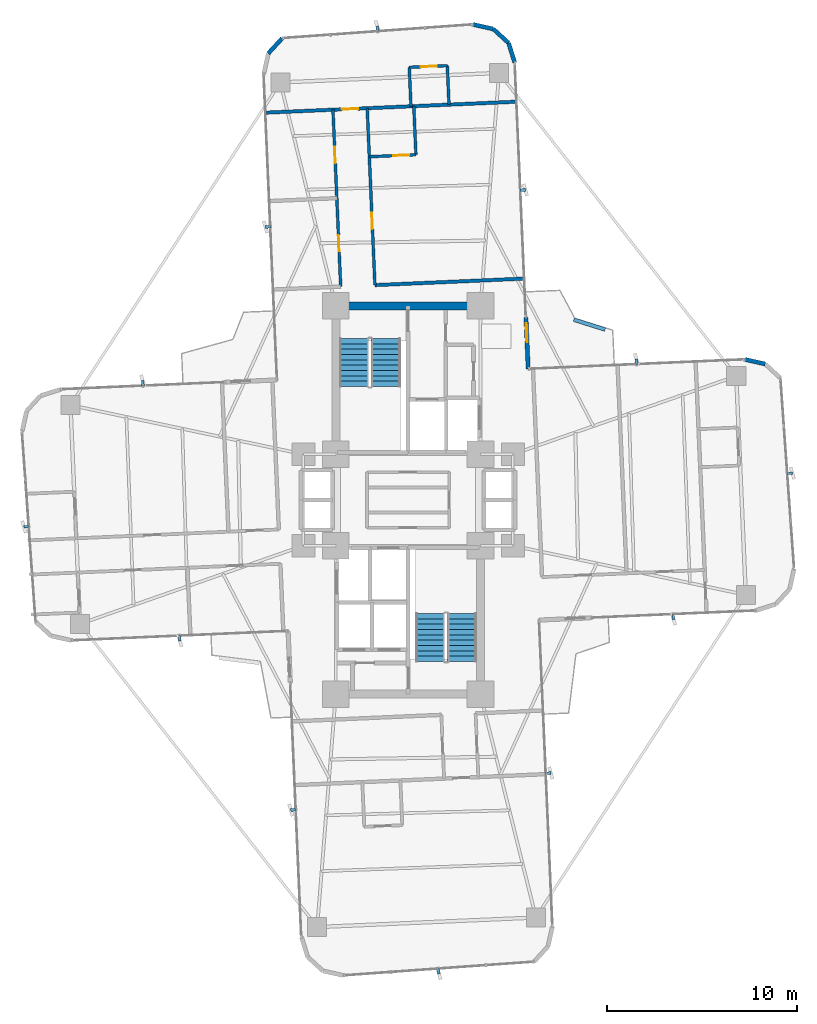
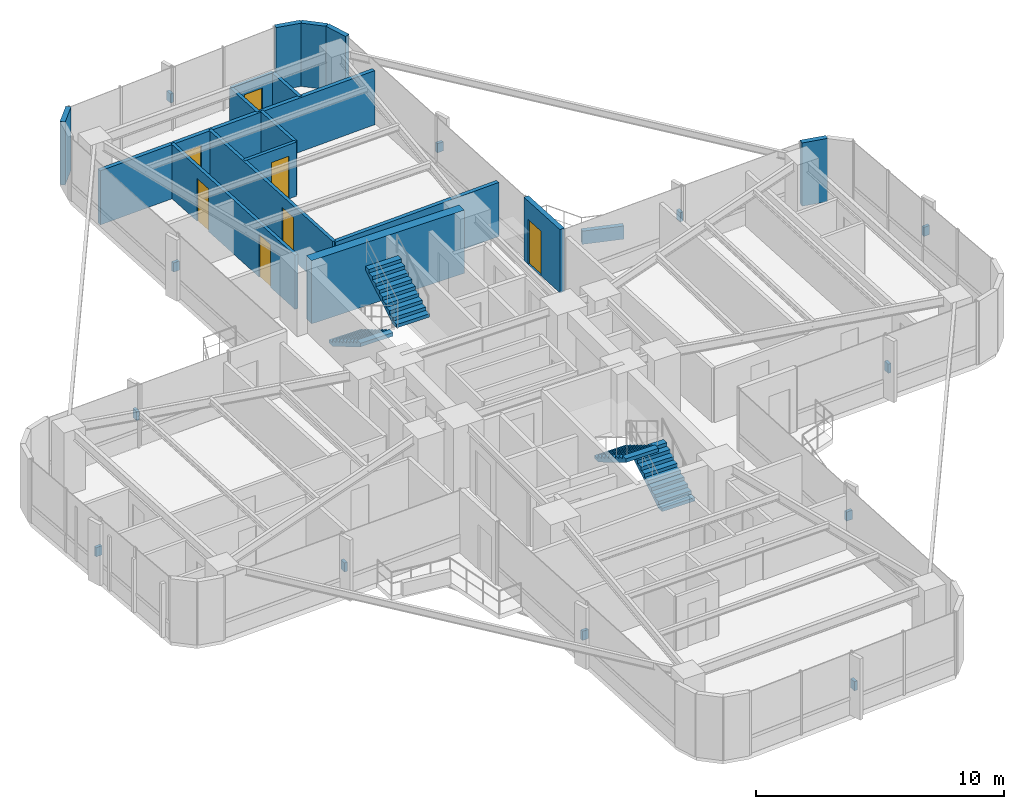
# One storey, part 25 of 26: 17 walls, 12 discrete accessories, 7 doors, 4 stair flights, 7 openings, 2 elements without a shape of their own.
"""IFC4 building model written with IfcOpenShell, lengths in metres."""

from ifc_helpers import new_model, si_unit, direction, frame, frame_2d, origin, origin_2d, place, context, subcontext, project, spatial, polyline, rectangle, outline, extrude, source, transform, mapped, material, layer, layer_set, type_object, element, fill, aggregate, save


model = new_model("IFC4")

# Units and contexts
model_context = context("Model", 3, precision=1e-05, world=origin(), true_north=direction((0.0, 1.0)))
body_context = subcontext(model_context, "Body", "Model", "MODEL_VIEW")
ifc_project = project(units=[si_unit("LENGTHUNIT", "METRE"), si_unit("AREAUNIT", "SQUARE_METRE"), si_unit("VOLUMEUNIT", "CUBIC_METRE"), si_unit("PLANEANGLEUNIT", "RADIAN"), si_unit("MASSUNIT", "GRAM", prefix="KILO")], contexts=[model_context])

# Site, building, storey
site_placement = place(None, origin())
site = spatial("IfcSite", under=ifc_project, at=site_placement, CompositionType="ELEMENT")
building_placement = place(site_placement, origin())
building = spatial("IfcBuilding", under=site, at=building_placement, Name="Sahyath Konkavel Grand Hotel", CompositionType="ELEMENT")
storey_placement = place(building_placement, frame((0.0, 0.0, 100.25)))
storey = spatial("IfcBuildingStorey", under=building, at=storey_placement, Name="L27", CompositionType="ELEMENT", Elevation=100.25)

# Walls
ifc_material_1 = material(Name="Concrete C50/60", Category="concrete")
ifc_layer_1 = layer(ifc_material_1, 0.419921875)
ifc_layer_set_1 = layer_set([ifc_layer_1], Name="Concrete C50/60")
wall_type_1 = type_object("IfcWallType", Name="CWALL-420", PredefinedType="SHEAR", material=ifc_layer_set_1)
wall_1_placement = place(storey_placement, frame((-3.550048828125, 10.199951171875, 0.0), z_axis=(0.0, 0.0, 1.0), x_axis=(1.0, 0.0, 0.0)))
element("IfcWall", 1, at=wall_1_placement, inside=storey, type_object=wall_type_1, Name="L27 North Core Shear Wall N", PredefinedType="SHEAR", context=body_context, shape_type="SweptSolid", body=[
    extrude(rectangle(XDim=7.10009765625, YDim=0.419921875, at=frame_2d((3.550048828125, 0.0))), origin(), (0.0, 0.0, 1.0), 3.110107421875),
])
ifc_material_2 = material(Name="Warm Buff Sandstone Insulated Concrete C40/50", Category="masonry")
ifc_layer_2 = layer(ifc_material_2, 0.219970703125)
ifc_layer_set_2 = layer_set([ifc_layer_2], Name="Warm Buff Sandstone Insulated Concrete C40/50")
wall_type_2 = type_object("IfcWallType", Name="WLL-BALC-THRESH", PredefinedType="STANDARD", material=ifc_layer_set_2)
wall_2_placement = place(storey_placement, frame((18.75634765625, 7.1435546875, 0.0), z_axis=(0.0, 0.0, 1.0), x_axis=(-0.976282085775, 0.216502399514, 0.0)))
element("IfcWall", 2, at=wall_2_placement, inside=storey, type_object=wall_type_2, Name="L27 Rounded Corner Sandstone Pier 6", PredefinedType="STANDARD", context=body_context, shape_type="SweptSolid", body=[
    extrude(rectangle(XDim=1.087158203125, YDim=0.219970703125, at=frame_2d((0.54345703125, 0.0))), origin(), (0.0, 0.0, 1.0), 3.110107421875),
])

# Wall, opening, door
wall_3_placement = place(storey_placement, frame((6.305908203125, 6.881591796875, 0.0), z_axis=(0.0, 0.0, 1.0), x_axis=(-0.043672655174, 0.999045894436, 0.0)))
wall_3 = element("IfcWall", 3, at=wall_3_placement, inside=storey, type_object=wall_type_2, Name="L27 Winter-Garden Threshold Wall 8", PredefinedType="STANDARD", context=body_context, shape_type="SweptSolid", body=[
    extrude(rectangle(XDim=2.7001953125, YDim=0.219970703125, at=frame_2d((1.35009765625, 0.0))), origin(), (0.0, 0.0, 1.0), 3.110107421875),
])
opening_1_placement = place(wall_3_placement, frame((1.39990234375, 0.0, 0.0)))
opening_1 = element("IfcOpeningElement", 4, at=opening_1_placement, cuts=wall_3, Name="Opening D-TR1", PredefinedType="OPENING", context=body_context, shape_type="SweptSolid", body=[
    extrude(rectangle(XDim=1.0, YDim=2.199951171875, at=frame_2d((0.5, 1.10009765625))), frame((0.0, 0.1201171875, 0.0), z_axis=(0.0, -1.0, 0.0), x_axis=(1.0, 0.0, 0.0)), (0.0, 0.0, 1.0), 0.239990234375),
])
ifc_material_3 = material(Name="Anodised Bronze Aluminium & Low-E Glazing", Category="aluminium")
door_type_1 = type_object("IfcDoorType", Name="DR-TERRACE-1000", OperationType="NOTDEFINED", PredefinedType="DOOR", material=ifc_material_3)
shared_shape_1 = source(origin(), body_context, "Body", "SweptSolid", [
    extrude(rectangle(XDim=1.0, YDim=0.050048828125, at=origin_2d()), origin(), (0.0, 0.0, 1.0), 2.199951171875),
])
door_1_placement = place(opening_1_placement, frame((0.5, 0.0, 0.0)))
door_1 = element("IfcDoor", 5, at=door_1_placement, inside=storey, type_object=door_type_1, Name="L27 Winter-Garden Terrace Door 8", OperationType="SINGLE_SWING_LEFT", OverallHeight=2.199951171875, OverallWidth=1.0, PredefinedType="DOOR", context=body_context, shape_type="MappedRepresentation", body=[
    mapped(shared_shape_1, transform((0.0, 0.0, 0.0), scale=1.0)),
])
fill(opening_1, door_1)

# Walls
wall_4_placement = place(storey_placement, frame((5.603515625, 22.96630859375, 0.0), z_axis=(0.0, 0.0, 1.0), x_axis=(-0.300755105707, 0.953701403161, 0.0)))
element("IfcWall", 6, at=wall_4_placement, inside=storey, type_object=wall_type_2, Name="L27 Rounded Corner Sandstone Pier 9", PredefinedType="STANDARD", context=body_context, shape_type="SweptSolid", body=[
    extrude(rectangle(XDim=1.0869140625, YDim=0.219970703125, at=frame_2d((0.54345703125, 0.0))), origin(), (0.0, 0.0, 1.0), 3.110107421875),
])
wall_5_placement = place(storey_placement, frame((5.276611328125, 24.0029296875, 0.0), z_axis=(0.0, 0.0, 1.0), x_axis=(-0.737312600672, 0.675551721847, 0.0)))
element("IfcWall", 7, at=wall_5_placement, inside=storey, type_object=wall_type_2, Name="L27 Rounded Corner Sandstone Pier 10", PredefinedType="STANDARD", context=body_context, shape_type="SweptSolid", body=[
    extrude(rectangle(XDim=1.087158203125, YDim=0.219970703125, at=frame_2d((0.54345703125, 0.0))), origin(), (0.0, 0.0, 1.0), 3.110107421875),
])
for number, where, z_axis, x_axis, name in (
    (8, (4.47509765625, 24.7373046875, 0.0), (0.0, 0.0, 1.0), (-0.976271555154, 0.216549880158, 0.0), "L27 Rounded Corner Sandstone Pier 11"),
    (9, (-6.6142578125, 24.253173828125, 0.0), (0.0, 0.0, 1.0), (-0.675663596772, -0.737210081318, 0.0), "L27 Rounded Corner Sandstone Pier 13"),
):
    element("IfcWall", number, at=place(storey_placement, frame(where, z_axis=z_axis, x_axis=x_axis)), inside=storey, type_object=wall_type_2, Name=name, PredefinedType="STANDARD", context=body_context, shape_type="SweptSolid", body=[
        extrude(rectangle(XDim=1.0869140625, YDim=0.219970703125, at=frame_2d((0.54345703125, 0.0))), origin(), (0.0, 0.0, 1.0), 3.110107421875),
    ])
ifc_material_4 = material(Name="Twin-Stud Acoustic Gypsum Plasterboard Partition")
ifc_layer_3 = layer(ifc_material_4, 0.179931640625)
ifc_layer_set_3 = layer_set([ifc_layer_3], Name="Twin-Stud Acoustic Gypsum Plasterboard Partition")
wall_type_3 = type_object("IfcWallType", Name="WLL-DEMISE-180", PredefinedType="PARTITIONING", material=ifc_layer_set_3)
wall_6_placement = place(storey_placement, frame((6.048583984375, 11.625, 0.0), z_axis=(0.0, 0.0, 1.0), x_axis=(-0.999047634936, -0.043632821702, 0.0)))
element("IfcWall", 10, at=wall_6_placement, inside=storey, type_object=wall_type_3, Name="L27 Partition N-INR", PredefinedType="PARTITIONING", context=body_context, shape_type="SweptSolid", body=[
    extrude(rectangle(XDim=7.7998046875, YDim=0.179931640625, at=frame_2d((3.89990234375, 0.0))), origin(), (0.0, 0.0, 1.0), 2.659912109375),
])

# Wall, opening, door
wall_7_placement = place(storey_placement, frame((5.64306640625, 20.916015625, 0.0), z_axis=(0.0, 0.0, 1.0), x_axis=(-0.999047841598, -0.043628089563, 0.0)))
wall_7 = element("IfcWall", 11, at=wall_7_placement, inside=storey, type_object=wall_type_3, Name="L27 Partition N-NTIP-END", PredefinedType="PARTITIONING", context=body_context, shape_type="SweptSolid", body=[
    extrude(rectangle(XDim=13.10009765625, YDim=0.179931640625, at=frame_2d((6.550048828125, 0.0))), origin(), (0.0, 0.0, 1.0), 2.659912109375),
])
opening_2_placement = place(wall_7_placement, frame((8.27490234375, 0.0, 0.0)))
opening_2 = element("IfcOpeningElement", 12, at=opening_2_placement, cuts=wall_7, Name="Opening D-F06D", PredefinedType="OPENING", context=body_context, shape_type="SweptSolid", body=[
    extrude(rectangle(XDim=0.85009765625, YDim=2.10009765625, at=frame_2d((0.425048828125, 1.050048828125))), frame((0.0, 0.10009765625, 0.0), z_axis=(0.0, -1.0, 0.0), x_axis=(1.0, 0.0, 0.0)), (0.0, 0.0, 1.0), 0.199951171875),
])
ifc_material_5 = material(Name="Fire-Rated Shaft Access Door")
door_type_2 = type_object("IfcDoorType", Name="DR-FD60-850", OperationType="NOTDEFINED", PredefinedType="DOOR", material=ifc_material_5)
shared_shape_2 = source(origin(), body_context, "Body", "SweptSolid", [
    extrude(rectangle(XDim=0.85009765625, YDim=0.050048828125, at=origin_2d()), origin(), (0.0, 0.0, 1.0), 2.10009765625),
])
door_2_placement = place(opening_2_placement, frame((0.425048828125, 0.0, 0.0)))
door_2 = element("IfcDoor", 13, at=door_2_placement, inside=storey, type_object=door_type_2, Name="L27 Door N-NTIP-ED", OperationType="SINGLE_SWING_LEFT", OverallHeight=2.10009765625, OverallWidth=0.85009765625, PredefinedType="DOOR", context=body_context, shape_type="MappedRepresentation", body=[
    mapped(shared_shape_2, transform((0.0, 0.0, 0.0), scale=1.0)),
])
fill(opening_2, door_2)

# Wall, openings, doors
ifc_material_6 = material(Name="Fire-Rated Gypsum Plasterboard Partition")
ifc_layer_4 = layer(ifc_material_6, 0.14990234375)
ifc_layer_set_4 = layer_set([ifc_layer_4], Name="Fire-Rated Gypsum Plasterboard Partition")
wall_type_4 = type_object("IfcWallType", Name="WLL-PART-150", PredefinedType="PARTITIONING", material=ifc_layer_set_4)
wall_8_placement = place(storey_placement, frame((-3.542236328125, 11.206298828125, 0.0), z_axis=(0.0, 0.0, 1.0), x_axis=(-0.043604692074, 0.999048863084, 0.0)))
wall_8 = element("IfcWall", 14, at=wall_8_placement, inside=storey, type_object=wall_type_4, Name="L27 Partition N-CL", PredefinedType="PARTITIONING", context=body_context, shape_type="SweptSolid", body=[
    extrude(rectangle(XDim=9.2998046875, YDim=0.14990234375, at=frame_2d((4.64990234375, 0.0))), origin(), (0.0, 0.0, 1.0), 2.659912109375),
])
opening_3_placement = place(wall_8_placement, frame((1.85009765625, 0.0, 0.0)))
opening_3 = element("IfcOpeningElement", 15, at=opening_3_placement, cuts=wall_8, Name="Opening D-F06D", PredefinedType="OPENING", context=body_context, shape_type="SweptSolid", body=[
    extrude(rectangle(XDim=0.85009765625, YDim=2.10009765625, at=frame_2d((0.425048828125, 1.050048828125))), frame((0.0, 0.0849609375, 0.0), z_axis=(0.0, -1.0, 0.0), x_axis=(1.0, 0.0, 0.0)), (0.0, 0.0, 1.0), 0.169921875),
])
opening_4_placement = place(wall_8_placement, frame((6.5, 0.0, 0.0)))
opening_4 = element("IfcOpeningElement", 16, at=opening_4_placement, cuts=wall_8, Name="Opening D-F06D", PredefinedType="OPENING", context=body_context, shape_type="SweptSolid", body=[
    extrude(rectangle(XDim=0.85009765625, YDim=2.10009765625, at=frame_2d((0.425048828125, 1.050048828125))), frame((0.0, 0.0849609375, 0.0), z_axis=(0.0, -1.0, 0.0), x_axis=(1.0, 0.0, 0.0)), (0.0, 0.0, 1.0), 0.169921875),
])
door_3_placement = place(opening_3_placement, frame((0.425048828125, 0.0, 0.0)))
door_3 = element("IfcDoor", 17, at=door_3_placement, inside=storey, type_object=door_type_2, Name="L27 Door N-N4L1-D", OperationType="SINGLE_SWING_RIGHT", OverallHeight=2.10009765625, OverallWidth=0.85009765625, PredefinedType="DOOR", context=body_context, shape_type="MappedRepresentation", body=[
    mapped(shared_shape_2, transform((0.0, 0.0, 0.0), scale=1.0)),
])
fill(opening_3, door_3)
door_4_placement = place(opening_4_placement, frame((0.425048828125, 0.0, 0.0)))
door_4 = element("IfcDoor", 18, at=door_4_placement, inside=storey, type_object=door_type_2, Name="L27 Door N-N4L2-D", OperationType="SINGLE_SWING_LEFT", OverallHeight=2.10009765625, OverallWidth=0.85009765625, PredefinedType="DOOR", context=body_context, shape_type="MappedRepresentation", body=[
    mapped(shared_shape_2, transform((0.0, 0.0, 0.0), scale=1.0)),
])
fill(opening_4, door_4)

# Wall, opening, door
wall_9_placement = place(storey_placement, frame((-1.743896484375, 11.28466796875, 0.0), z_axis=(0.0, 0.0, 1.0), x_axis=(-0.043630894187, 0.999047719117, 0.0)))
wall_9 = element("IfcWall", 19, at=wall_9_placement, inside=storey, type_object=wall_type_4, Name="L27 Partition N-CR", PredefinedType="PARTITIONING", context=body_context, shape_type="SweptSolid", body=[
    extrude(rectangle(XDim=9.2998046875, YDim=0.14990234375, at=frame_2d((4.64990234375, 0.0))), origin(), (0.0, 0.0, 1.0), 2.659912109375),
])
opening_5_placement = place(wall_9_placement, frame((2.949951171875, 0.0, 0.0)))
opening_5 = element("IfcOpeningElement", 20, at=opening_5_placement, cuts=wall_9, Name="Opening D-F06D", PredefinedType="OPENING", context=body_context, shape_type="SweptSolid", body=[
    extrude(rectangle(XDim=0.85009765625, YDim=2.10009765625, at=frame_2d((0.425048828125, 1.050048828125))), frame((0.0, 0.0849609375, 0.0), z_axis=(0.0, -1.0, 0.0), x_axis=(1.0, 0.0, 0.0)), (0.0, 0.0, 1.0), 0.169921875),
])
door_5_placement = place(opening_5_placement, frame((0.425048828125, 0.0, 0.0)))
door_5 = element("IfcDoor", 21, at=door_5_placement, inside=storey, type_object=door_type_2, Name="L27 Door N-N4R1-ED", OperationType="SINGLE_SWING_LEFT", OverallHeight=2.10009765625, OverallWidth=0.85009765625, PredefinedType="DOOR", context=body_context, shape_type="MappedRepresentation", body=[
    mapped(shared_shape_2, transform((0.0, 0.0, 0.0), scale=1.0)),
])
fill(opening_5, door_5)

wall_10_placement = place(storey_placement, frame((-2.038330078125, 18.0283203125, 0.0), z_axis=(0.0, 0.0, 1.0), x_axis=(0.999051263243, 0.043549666039, 0.0)))
wall_10 = element("IfcWall", 22, at=wall_10_placement, inside=storey, type_object=wall_type_4, Name="L27 Partition N-N4R1-BS", PredefinedType="PARTITIONING", context=body_context, shape_type="SweptSolid", body=[
    extrude(rectangle(XDim=2.449951171875, YDim=0.14990234375, at=frame_2d((1.22509765625, 0.0))), origin(), (0.0, 0.0, 1.0), 2.659912109375),
])
opening_6_placement = place(wall_10_placement, frame((1.25, 0.0, 0.0)))
opening_6 = element("IfcOpeningElement", 23, at=opening_6_placement, cuts=wall_10, Name="Opening D-BT85", PredefinedType="OPENING", context=body_context, shape_type="SweptSolid", body=[
    extrude(rectangle(XDim=0.85009765625, YDim=2.10009765625, at=frame_2d((0.425048828125, 1.050048828125))), frame((0.0, 0.0849609375, 0.0), z_axis=(0.0, -1.0, 0.0), x_axis=(1.0, 0.0, 0.0)), (0.0, 0.0, 1.0), 0.169921875),
])
ifc_material_7 = material(Name="Moisture-Resistant Teak Bathroom Door")
door_type_3 = type_object("IfcDoorType", Name="DR-BATH-850", OperationType="NOTDEFINED", PredefinedType="DOOR", material=ifc_material_7)
door_6_placement = place(opening_6_placement, frame((0.425048828125, 0.0, 0.0)))
door_6 = element("IfcDoor", 24, at=door_6_placement, inside=storey, type_object=door_type_3, Name="L27 Door N-N4R1-BD", OperationType="SINGLE_SWING_RIGHT", OverallHeight=2.10009765625, OverallWidth=0.85009765625, PredefinedType="DOOR", context=body_context, shape_type="MappedRepresentation", body=[
    mapped(shared_shape_2, transform((0.0, 0.0, 0.0), scale=1.0)),
])
fill(opening_6, door_6)

# Walls
wall_11_placement = place(storey_placement, frame((0.4091796875, 18.135009765625, 0.0), z_axis=(0.0, 0.0, 1.0), x_axis=(-0.043561867058, 0.999050731314, 0.0)))
element("IfcWall", 25, at=wall_11_placement, inside=storey, type_object=wall_type_4, Name="L27 Partition N-N4R1-BF", PredefinedType="PARTITIONING", context=body_context, shape_type="SweptSolid", body=[
    extrude(rectangle(XDim=2.550048828125, YDim=0.14990234375, at=frame_2d((1.27490234375, 0.0))), origin(), (0.0, 0.0, 1.0), 2.659912109375),
])
wall_12_placement = place(storey_placement, frame((0.148193359375, 20.676025390625, 0.0), z_axis=(0.0, 0.0, 1.0), x_axis=(-0.043587097972, 0.999049630844, 0.0)))
element("IfcWall", 26, at=wall_12_placement, inside=storey, type_object=wall_type_4, Name="L27 Partition N-NTIP-BN", PredefinedType="PARTITIONING", context=body_context, shape_type="SweptSolid", body=[
    extrude(rectangle(XDim=2.050048828125, YDim=0.14990234375, at=frame_2d((1.02490234375, 0.0))), origin(), (0.0, 0.0, 1.0), 2.659912109375),
])
wall_13_placement = place(storey_placement, frame((2.146484375, 20.763427734375, 0.0), z_axis=(0.0, 0.0, 1.0), x_axis=(-0.043711161805, 0.9990442104, 0.0)))
element("IfcWall", 27, at=wall_13_placement, inside=storey, type_object=wall_type_4, Name="L27 Partition N-NTIP-BS", PredefinedType="PARTITIONING", context=body_context, shape_type="SweptSolid", body=[
    extrude(rectangle(XDim=2.0498046875, YDim=0.14990234375, at=frame_2d((1.02490234375, 0.0))), origin(), (0.0, 0.0, 1.0), 2.659912109375),
])

# Wall, opening, door
wall_14_placement = place(storey_placement, frame((2.056884765625, 22.811279296875, 0.0), z_axis=(0.0, 0.0, 1.0), x_axis=(-0.999049929275, -0.043580257179, 0.0)))
wall_14 = element("IfcWall", 28, at=wall_14_placement, inside=storey, type_object=wall_type_4, Name="L27 Partition N-NTIP-BE", PredefinedType="PARTITIONING", context=body_context, shape_type="SweptSolid", body=[
    extrude(rectangle(XDim=2.0, YDim=0.14990234375, at=frame_2d((1.0, 0.0))), origin(), (0.0, 0.0, 1.0), 2.659912109375),
])
opening_7_placement = place(wall_14_placement, frame((0.550048828125, 0.0, 0.0)))
opening_7 = element("IfcOpeningElement", 29, at=opening_7_placement, cuts=wall_14, Name="Opening D-BT85", PredefinedType="OPENING", context=body_context, shape_type="SweptSolid", body=[
    extrude(rectangle(XDim=0.85009765625, YDim=2.10009765625, at=frame_2d((0.425048828125, 1.050048828125))), frame((0.0, 0.0849609375, 0.0), z_axis=(0.0, -1.0, 0.0), x_axis=(1.0, 0.0, 0.0)), (0.0, 0.0, 1.0), 0.169921875),
])
door_7_placement = place(opening_7_placement, frame((0.425048828125, 0.0, 0.0)))
door_7 = element("IfcDoor", 30, at=door_7_placement, inside=storey, type_object=door_type_3, Name="L27 Door N-NTIP-BD", OperationType="SINGLE_SWING_RIGHT", OverallHeight=2.10009765625, OverallWidth=0.85009765625, PredefinedType="DOOR", context=body_context, shape_type="MappedRepresentation", body=[
    mapped(shared_shape_2, transform((0.0, 0.0, 0.0), scale=1.0)),
])
fill(opening_7, door_7)

# Wall
ifc_material_8 = material(Name="Warm Buff Sandstone Planter Wall", Category="masonry")
ifc_layer_5 = layer(ifc_material_8, 0.199951171875)
ifc_layer_set_5 = layer_set([ifc_layer_5], Name="Warm Buff Sandstone Planter Wall")
wall_type_5 = type_object("IfcWallType", Name="WLL-PLANTER-200", PredefinedType="PARAPET", material=ifc_layer_set_5)
wall_15_placement = place(storey_placement, frame((10.344482421875, 8.951416015625, 0.0), z_axis=(0.0, 0.0, 1.0), x_axis=(-0.953453841707, 0.301539005328, 0.0)))
element("IfcWall", 31, at=wall_15_placement, inside=storey, type_object=wall_type_5, Name="L27 Sky-Garden Stone Planter PLANTER NE", PredefinedType="PARAPET", context=body_context, shape_type="SweptSolid", body=[
    extrude(rectangle(XDim=1.7197265625, YDim=0.199951171875, at=frame_2d((0.85986328125, 0.0))), origin(), (0.0, 0.0, 1.0), 0.64990234375),
])

# Stair, stair flights
ifc_material_9 = material(Name="Concrete C40/50", Category="concrete")
stair_type = type_object("IfcStairType", Name="STR-ST16-335", PredefinedType="HALF_TURN_STAIR", material=ifc_material_9)
stair_1_placement = place(storey_placement, origin())
stair_1 = element("IfcStair", 32, at=stair_1_placement, inside=storey, type_object=stair_type, Name="L27 North Core Smokeproof Exit Stair ST-1", PredefinedType="HALF_TURN_STAIR")
stair_flight_type = type_object("IfcStairFlightType", Name="STF-ST16-335", PredefinedType="STRAIGHT", material=ifc_material_9)
stair_flight_1_placement = place(storey_placement, frame((-2.840087890625, 8.47998046875, 0.0), z_axis=(0.0, 0.0, 1.0), x_axis=(0.0, -1.0, 0.0)))
stair_flight_1 = element("IfcStairFlight", 33, at=stair_flight_1_placement, type_object=stair_flight_type, Name="ST-1 flight 1", NumberOfRisers=10, NumberOfTreads=9, PredefinedType="STRAIGHT", RiserHeight=0.1675, TreadLength=0.28, context=body_context, shape_type="SweptSolid", body=[
    extrude(outline(polyline([(0.0, 0.0), (0.0, 0.16748046875), (0.280029296875, 0.16748046875), (0.280029296875, 0.3349609375), (0.56005859375, 0.3349609375), (0.56005859375, 0.50244140625), (0.840087890625, 0.50244140625), (0.840087890625, 0.669921875), (1.1201171875, 0.669921875), (1.1201171875, 0.83740234375), (1.39990234375, 0.83740234375), (1.39990234375, 1.0048828125), (1.679931640625, 1.0048828125), (1.679931640625, 1.172607421875), (1.9599609375, 1.172607421875), (1.9599609375, 1.340087890625), (2.239990234375, 1.340087890625), (2.239990234375, 1.507568359375), (2.52001953125, 1.507568359375), (2.52001953125, 1.675048828125), (2.52001953125, 1.332763671875), (0.2919921875, 0.0), (0.0, 0.0)])), frame((0.0, 0.760009765625, 0.0), z_axis=(0.0, -1.0, 0.0), x_axis=(1.0, 0.0, 0.0)), (0.0, 0.0, 1.0), 1.52001953125),
])
stair_flight_2_placement = place(storey_placement, frame((-1.159912109375, 5.9599609375, 1.675048828125), z_axis=(0.0, 0.0, 1.0), x_axis=(0.0, 1.0, 0.0)))
stair_flight_2 = element("IfcStairFlight", 34, at=stair_flight_2_placement, type_object=stair_flight_type, Name="ST-1 flight 2", NumberOfRisers=10, NumberOfTreads=9, PredefinedType="STRAIGHT", RiserHeight=0.1675, TreadLength=0.28, context=body_context, shape_type="SweptSolid", body=[
    extrude(outline(polyline([(0.0, 0.0), (0.0, 0.16748046875), (0.280029296875, 0.16748046875), (0.280029296875, 0.3349609375), (0.56005859375, 0.3349609375), (0.56005859375, 0.50244140625), (0.840087890625, 0.50244140625), (0.840087890625, 0.669921875), (1.1201171875, 0.669921875), (1.1201171875, 0.83740234375), (1.39990234375, 0.83740234375), (1.39990234375, 1.0048828125), (1.679931640625, 1.0048828125), (1.679931640625, 1.172607421875), (1.9599609375, 1.172607421875), (1.9599609375, 1.340087890625), (2.239990234375, 1.340087890625), (2.239990234375, 1.507568359375), (2.52001953125, 1.507568359375), (2.52001953125, 1.675048828125), (2.52001953125, 1.332763671875), (0.2919921875, 0.0), (0.0, 0.0)])), frame((0.0, 0.760009765625, 0.0), z_axis=(0.0, -1.0, 0.0), x_axis=(1.0, 0.0, 0.0)), (0.0, 0.0, 1.0), 1.52001953125),
])
aggregate(stair_1, [stair_flight_1, stair_flight_2])

stair_2_placement = place(storey_placement, origin())
stair_2 = element("IfcStair", 35, at=stair_2_placement, inside=storey, type_object=stair_type, Name="L27 South Core Smokeproof Exit Stair ST-2", PredefinedType="HALF_TURN_STAIR")
stair_flight_3_placement = place(storey_placement, frame((2.840087890625, -8.47998046875, 0.0), z_axis=(0.0, 0.0, 1.0), x_axis=(0.0, 1.0, 0.0)))
stair_flight_3 = element("IfcStairFlight", 36, at=stair_flight_3_placement, type_object=stair_flight_type, Name="ST-2 flight 1", NumberOfRisers=10, NumberOfTreads=9, PredefinedType="STRAIGHT", RiserHeight=0.1675, TreadLength=0.28, context=body_context, shape_type="SweptSolid", body=[
    extrude(outline(polyline([(0.0, 0.0), (0.0, 0.16748046875), (0.280029296875, 0.16748046875), (0.280029296875, 0.3349609375), (0.56005859375, 0.3349609375), (0.56005859375, 0.50244140625), (0.840087890625, 0.50244140625), (0.840087890625, 0.669921875), (1.1201171875, 0.669921875), (1.1201171875, 0.83740234375), (1.39990234375, 0.83740234375), (1.39990234375, 1.0048828125), (1.679931640625, 1.0048828125), (1.679931640625, 1.172607421875), (1.9599609375, 1.172607421875), (1.9599609375, 1.340087890625), (2.239990234375, 1.340087890625), (2.239990234375, 1.507568359375), (2.52001953125, 1.507568359375), (2.52001953125, 1.675048828125), (2.52001953125, 1.332763671875), (0.2919921875, 0.0), (0.0, 0.0)])), frame((0.0, 0.760009765625, 0.0), z_axis=(0.0, -1.0, 0.0), x_axis=(1.0, 0.0, 0.0)), (0.0, 0.0, 1.0), 1.52001953125),
])
stair_flight_4_placement = place(storey_placement, frame((1.159912109375, -5.9599609375, 1.675048828125), z_axis=(0.0, 0.0, 1.0), x_axis=(0.0, -1.0, 0.0)))
stair_flight_4 = element("IfcStairFlight", 37, at=stair_flight_4_placement, type_object=stair_flight_type, Name="ST-2 flight 2", NumberOfRisers=10, NumberOfTreads=9, PredefinedType="STRAIGHT", RiserHeight=0.1675, TreadLength=0.28, context=body_context, shape_type="SweptSolid", body=[
    extrude(outline(polyline([(0.0, 0.0), (0.0, 0.16748046875), (0.280029296875, 0.16748046875), (0.280029296875, 0.3349609375), (0.56005859375, 0.3349609375), (0.56005859375, 0.50244140625), (0.840087890625, 0.50244140625), (0.840087890625, 0.669921875), (1.1201171875, 0.669921875), (1.1201171875, 0.83740234375), (1.39990234375, 0.83740234375), (1.39990234375, 1.0048828125), (1.679931640625, 1.0048828125), (1.679931640625, 1.172607421875), (1.9599609375, 1.172607421875), (1.9599609375, 1.340087890625), (2.239990234375, 1.340087890625), (2.239990234375, 1.507568359375), (2.52001953125, 1.507568359375), (2.52001953125, 1.675048828125), (2.52001953125, 1.332763671875), (0.2919921875, 0.0), (0.0, 0.0)])), frame((0.0, 0.760009765625, 0.0), z_axis=(0.0, -1.0, 0.0), x_axis=(1.0, 0.0, 0.0)), (0.0, 0.0, 1.0), 1.52001953125),
])
aggregate(stair_2, [stair_flight_3, stair_flight_4])

# Discrete accessories
ifc_material_10 = material(Name="Steel E350", Category="steel")
discrete_accessory_type = type_object("IfcDiscreteAccessoryType", Name="ACC-FIN-BRACKET", PredefinedType="BRACKET", material=ifc_material_10)
shared_shape_3 = source(origin(), body_context, "Body", "SweptSolid", [
    extrude(rectangle(XDim=0.280029296875, YDim=0.139892578125, at=origin_2d()), origin(), (0.0, 0.0, 1.0), 0.449951171875),
])
for number, where, z_axis, x_axis, name in (
    (38, (13.9306640625, -6.128173828125, 1.330078125), (0.0, 0.0, 1.0), (0.043601950678, -0.999048982732, 0.0), "L27 Fin Support Bracket F0-1"),
    (39, (20.047119140625, 1.404296875, 1.330078125), (0.0, 0.0, 1.0), (0.997435789037, 0.071567078661, 0.0), "L27 Fin Support Bracket F4-2"),
    (40, (11.99462890625, 7.26025390625, 1.330078125), (0.0, 0.0, 1.0), (-0.043619387365, 0.999048221582, 0.0), "L27 Fin Support Bracket F7-1"),
    (41, (6.025634765625, 16.2783203125, 1.330078125), (0.0, 0.0, 1.0), (0.999048221582, 0.043619387365, 0.0), "L27 Fin Support Bracket F8-1"),
    (42, (-1.609375, 24.74267578125, 1.330078125), (0.0, 0.0, 1.0), (-0.071567078661, 0.997435789037, 0.0), "L27 Fin Support Bracket F12-2"),
    (43, (-7.362548828125, 14.342529296875, 1.330078125), (0.0, 0.0, 1.0), (-0.999048221582, -0.043619387365, 0.0), "L27 Fin Support Bracket F15-1"),
    (44, (-13.9306640625, 6.128173828125, 1.330078125), (0.0, 0.0, 1.0), (-0.043601950678, 0.999048982732, 0.0), "L27 Fin Support Bracket F16-1"),
    (45, (-20.047119140625, -1.404296875, 1.330078125), (0.0, 0.0, 1.0), (-0.997435789037, -0.071567078661, 0.0), "L27 Fin Support Bracket F20-2"),
    (46, (-11.99462890625, -7.26025390625, 1.330078125), (0.0, 0.0, 1.0), (0.043619387365, -0.999048221582, 0.0), "L27 Fin Support Bracket F23-1"),
    (47, (-6.025634765625, -16.2783203125, 1.330078125), (0.0, 0.0, 1.0), (-0.999048221582, -0.043619387365, 0.0), "L27 Fin Support Bracket F24-1"),
    (48, (1.609375, -24.74267578125, 1.330078125), (0.0, 0.0, 1.0), (0.071567078661, -0.997435789037, 0.0), "L27 Fin Support Bracket F28-2"),
    (49, (7.362548828125, -14.342529296875, 1.330078125), (0.0, 0.0, 1.0), (0.999048221582, 0.043619387365, 0.0), "L27 Fin Support Bracket F31-1"),
):
    element("IfcDiscreteAccessory", number, at=place(storey_placement, frame(where, z_axis=z_axis, x_axis=x_axis)), inside=storey, type_object=discrete_accessory_type, Name=name, PredefinedType="BRACKET", context=body_context, shape_type="MappedRepresentation", body=[
        mapped(shared_shape_3, transform((0.0, 0.0, 0.0), scale=1.0)),
    ])

save(model, "model.ifc")
